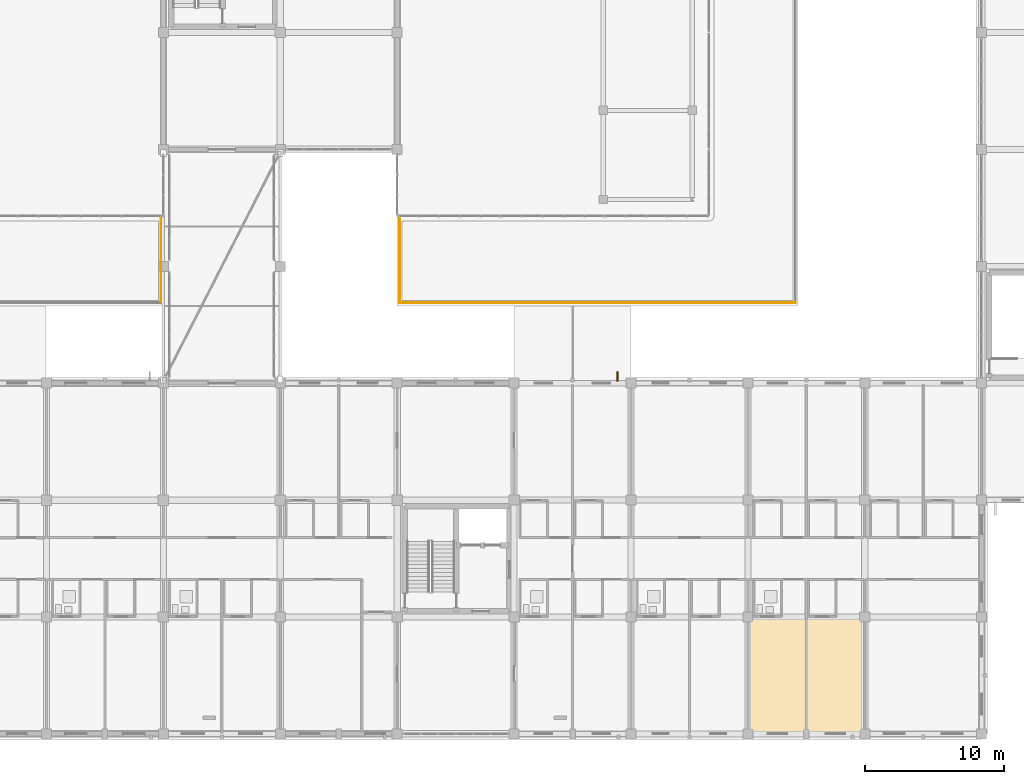
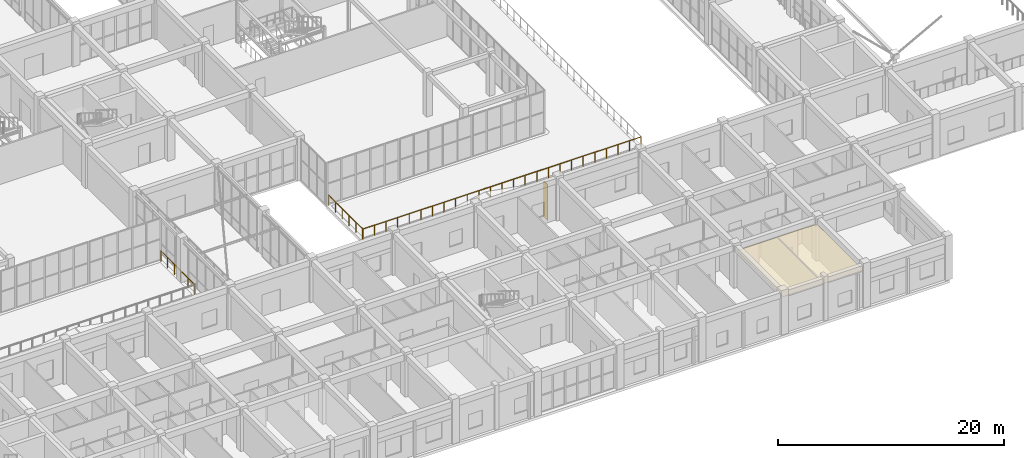
# One storey, part 149 of 158: 3 railings, 1 covering, 1 shading device.
"""IFC4 building model written with IfcOpenShell, lengths in metres."""

from ifc_helpers import new_model, si_unit, direction, frame, origin, origin_2d, place, context, subcontext, project, spatial, polyline, rectangle, circle, outline, extrude, material, layer, layer_set, type_object, element, save


model = new_model("IFC4")

# Units and contexts
model_context = context("Model", 3, precision=1e-05, world=origin(), true_north=direction((0.0, 1.0)))
body_context = subcontext(model_context, "Body", "Model", "MODEL_VIEW")
ifc_project = project(units=[si_unit("LENGTHUNIT", "METRE"), si_unit("AREAUNIT", "SQUARE_METRE"), si_unit("VOLUMEUNIT", "CUBIC_METRE"), si_unit("PLANEANGLEUNIT", "RADIAN"), si_unit("MASSUNIT", "GRAM", prefix="KILO")], contexts=[model_context])

# Site, building, storey
site_placement = place(None, origin())
site = spatial("IfcSite", under=ifc_project, at=site_placement, CompositionType="ELEMENT")
building_placement = place(site_placement, origin())
building = spatial("IfcBuilding", under=site, at=building_placement, Name="Trelvath General Hospital", CompositionType="ELEMENT")
storey_placement = place(building_placement, frame((0.0, 0.0, 8.10009765625)))
storey = spatial("IfcBuildingStorey", under=building, at=storey_placement, Name="L02", CompositionType="ELEMENT", Elevation=8.10009765625)

# Covering
ifc_material_1 = material(Name="Hygienic acoustic ceiling tile")
ifc_layer = layer(ifc_material_1, 0.02490234375)
ifc_layer_set = layer_set([ifc_layer], Name="Hygienic acoustic ceiling tile")
covering_type = type_object("IfcCoveringType", Name="Ceiling ClinicalAcoustic", PredefinedType="CEILING", material=ifc_layer_set)
covering_placement = place(storey_placement, frame((0.0, 0.0, 3.719970703125)))
element("IfcCovering", 1, at=covering_placement, inside=storey, type_object=covering_type, Name="Clinical Acoustic Ceiling L02-31", PredefinedType="CEILING", context=body_context, shape_type="SweptSolid", body=[
    extrude(outline(polyline([(117.699951171875, 0.10009765625), (125.89990234375, 0.10009765625), (125.89990234375, 8.320068359375), (117.699951171875, 8.320068359375), (117.699951171875, 0.10009765625)])), origin(), (0.0, 0.0, 1.0), 0.02490234375),
])

# Railings
ifc_material_2 = material(Name="Architectural painted steel", Category="steel")
railing_type = type_object("IfcRailingType", Name="Guardrail Terrace1150", PredefinedType="GUARDRAIL", material=ifc_material_2)
railing_1_placement = place(storey_placement, frame((75.419921875, 31.0400390625, 0.0)))
element("IfcRailing", 2, at=railing_1_placement, inside=storey, type_object=railing_type, Name="Cube Terrace Guardrail TERR-CW-U2 4 22", PredefinedType="GUARDRAIL", context=body_context, shape_type="SweptSolid", body=[
    extrude(circle(Radius=0.02392578125, at=origin_2d()), frame((0.0, 0.0, 1.1259765625), z_axis=(0.0, 1.0, 0.0), x_axis=(-1.0, 0.0, 0.0)), (0.0, 0.0, 1.0), 5.97998046875),
    extrude(circle(Radius=0.02099609375, at=origin_2d()), origin(), (0.0, 0.0, 1.0), 1.099853515625),
    extrude(circle(Radius=0.02099609375, at=origin_2d()), frame((0.0, 1.196044921875, 0.0)), (0.0, 0.0, 1.0), 1.099853515625),
    extrude(circle(Radius=0.02099609375, at=origin_2d()), frame((0.0, 2.39208984375, 0.0)), (0.0, 0.0, 1.0), 1.099853515625),
    extrude(circle(Radius=0.02099609375, at=origin_2d()), frame((0.0, 3.587890625, 0.0)), (0.0, 0.0, 1.0), 1.099853515625),
    extrude(circle(Radius=0.02099609375, at=origin_2d()), frame((0.0, 4.783935546875, 0.0)), (0.0, 0.0, 1.0), 1.099853515625),
    extrude(circle(Radius=0.02099609375, at=origin_2d()), frame((0.0, 5.97998046875, 0.0)), (0.0, 0.0, 1.0), 1.099853515625),
])
railing_2_placement = place(storey_placement, frame((92.580078125, 30.97998046875, 0.0)))
element("IfcRailing", 3, at=railing_2_placement, inside=storey, type_object=railing_type, Name="Cube Terrace Guardrail TERR-CE-U2 1 24", PredefinedType="GUARDRAIL", context=body_context, shape_type="SweptSolid", body=[
    extrude(circle(Radius=0.02392578125, at=origin_2d()), frame((0.0, 0.0, 1.1259765625), z_axis=(1.0, 0.0, 0.0), x_axis=(0.0, 1.0, 0.0)), (0.0, 0.0, 1.0), 28.43994140625),
    extrude(circle(Radius=0.02099609375, at=origin_2d()), origin(), (0.0, 0.0, 1.0), 1.099853515625),
    extrude(circle(Radius=0.02099609375, at=origin_2d()), frame((1.18505859375, 0.0, 0.0)), (0.0, 0.0, 1.0), 1.099853515625),
    extrude(circle(Radius=0.02099609375, at=origin_2d()), frame((2.3701171875, 0.0, 0.0)), (0.0, 0.0, 1.0), 1.099853515625),
    extrude(circle(Radius=0.02099609375, at=origin_2d()), frame((3.554931640625, 0.0, 0.0)), (0.0, 0.0, 1.0), 1.099853515625),
    extrude(circle(Radius=0.02099609375, at=origin_2d()), frame((4.739990234375, 0.0, 0.0)), (0.0, 0.0, 1.0), 1.099853515625),
    extrude(circle(Radius=0.02099609375, at=origin_2d()), frame((5.925048828125, 0.0, 0.0)), (0.0, 0.0, 1.0), 1.099853515625),
    extrude(circle(Radius=0.02099609375, at=origin_2d()), frame((7.10986328125, 0.0, 0.0)), (0.0, 0.0, 1.0), 1.099853515625),
    extrude(circle(Radius=0.02099609375, at=origin_2d()), frame((8.294921875, 0.0, 0.0)), (0.0, 0.0, 1.0), 1.099853515625),
    extrude(circle(Radius=0.02099609375, at=origin_2d()), frame((9.47998046875, 0.0, 0.0)), (0.0, 0.0, 1.0), 1.099853515625),
    extrude(circle(Radius=0.02099609375, at=origin_2d()), frame((10.6650390625, 0.0, 0.0)), (0.0, 0.0, 1.0), 1.099853515625),
    extrude(circle(Radius=0.02099609375, at=origin_2d()), frame((11.85009765625, 0.0, 0.0)), (0.0, 0.0, 1.0), 1.099853515625),
    extrude(circle(Radius=0.02099609375, at=origin_2d()), frame((13.034912109375, 0.0, 0.0)), (0.0, 0.0, 1.0), 1.099853515625),
    extrude(circle(Radius=0.02099609375, at=origin_2d()), frame((14.219970703125, 0.0, 0.0)), (0.0, 0.0, 1.0), 1.099853515625),
    extrude(circle(Radius=0.02099609375, at=origin_2d()), frame((15.405029296875, 0.0, 0.0)), (0.0, 0.0, 1.0), 1.099853515625),
    extrude(circle(Radius=0.02099609375, at=origin_2d()), frame((16.58984375, 0.0, 0.0)), (0.0, 0.0, 1.0), 1.099853515625),
    extrude(circle(Radius=0.02099609375, at=origin_2d()), frame((17.77490234375, 0.0, 0.0)), (0.0, 0.0, 1.0), 1.099853515625),
    extrude(circle(Radius=0.02099609375, at=origin_2d()), frame((18.9599609375, 0.0, 0.0)), (0.0, 0.0, 1.0), 1.099853515625),
    extrude(circle(Radius=0.02099609375, at=origin_2d()), frame((20.14501953125, 0.0, 0.0)), (0.0, 0.0, 1.0), 1.099853515625),
    extrude(circle(Radius=0.02099609375, at=origin_2d()), frame((21.330078125, 0.0, 0.0)), (0.0, 0.0, 1.0), 1.099853515625),
    extrude(circle(Radius=0.02099609375, at=origin_2d()), frame((22.514892578125, 0.0, 0.0)), (0.0, 0.0, 1.0), 1.099853515625),
    extrude(circle(Radius=0.02099609375, at=origin_2d()), frame((23.699951171875, 0.0, 0.0)), (0.0, 0.0, 1.0), 1.099853515625),
    extrude(circle(Radius=0.02099609375, at=origin_2d()), frame((24.885009765625, 0.0, 0.0)), (0.0, 0.0, 1.0), 1.099853515625),
    extrude(circle(Radius=0.02099609375, at=origin_2d()), frame((26.06982421875, 0.0, 0.0)), (0.0, 0.0, 1.0), 1.099853515625),
    extrude(circle(Radius=0.02099609375, at=origin_2d()), frame((27.2548828125, 0.0, 0.0)), (0.0, 0.0, 1.0), 1.099853515625),
    extrude(circle(Radius=0.02099609375, at=origin_2d()), frame((28.43994140625, 0.0, 0.0)), (0.0, 0.0, 1.0), 1.099853515625),
])
railing_3_placement = place(storey_placement, frame((92.580078125, 31.0400390625, 0.0)))
element("IfcRailing", 4, at=railing_3_placement, inside=storey, type_object=railing_type, Name="Cube Terrace Guardrail TERR-CE-U2 4 27", PredefinedType="GUARDRAIL", context=body_context, shape_type="SweptSolid", body=[
    extrude(circle(Radius=0.02392578125, at=origin_2d()), frame((0.0, 0.0, 1.1259765625), z_axis=(0.0, 1.0, 0.0), x_axis=(-1.0, 0.0, 0.0)), (0.0, 0.0, 1.0), 5.97998046875),
    extrude(circle(Radius=0.02099609375, at=origin_2d()), origin(), (0.0, 0.0, 1.0), 1.099853515625),
    extrude(circle(Radius=0.02099609375, at=origin_2d()), frame((0.0, 1.196044921875, 0.0)), (0.0, 0.0, 1.0), 1.099853515625),
    extrude(circle(Radius=0.02099609375, at=origin_2d()), frame((0.0, 2.39208984375, 0.0)), (0.0, 0.0, 1.0), 1.099853515625),
    extrude(circle(Radius=0.02099609375, at=origin_2d()), frame((0.0, 3.587890625, 0.0)), (0.0, 0.0, 1.0), 1.099853515625),
    extrude(circle(Radius=0.02099609375, at=origin_2d()), frame((0.0, 4.783935546875, 0.0)), (0.0, 0.0, 1.0), 1.099853515625),
    extrude(circle(Radius=0.02099609375, at=origin_2d()), frame((0.0, 5.97998046875, 0.0)), (0.0, 0.0, 1.0), 1.099853515625),
])

# Shading device
ifc_material_3 = material(Name="Anodised aluminium", Category="aluminium")
shading_device_type = type_object("IfcShadingDeviceType", Name="SolarScreen PerforatedAlu", PredefinedType="JALOUSIE", material=ifc_material_3)
shading_device_placement = place(storey_placement, frame((108.229736328125, 25.679931640625, 0.0), z_axis=(0.0, 0.0, 1.0), x_axis=(0.0, 1.0, 0.0)))
element("IfcShadingDevice", 5, at=shading_device_placement, inside=storey, type_object=shading_device_type, Name="Solar Brise-Soleil Screen L02-43", PredefinedType="JALOUSIE", context=body_context, shape_type="SweptSolid", body=[
    extrude(rectangle(XDim=0.64990234375, YDim=0.080078125, at=origin_2d()), origin(), (0.0, 0.0, 1.0), 3.860107421875),
])

save(model, "model.ifc")
